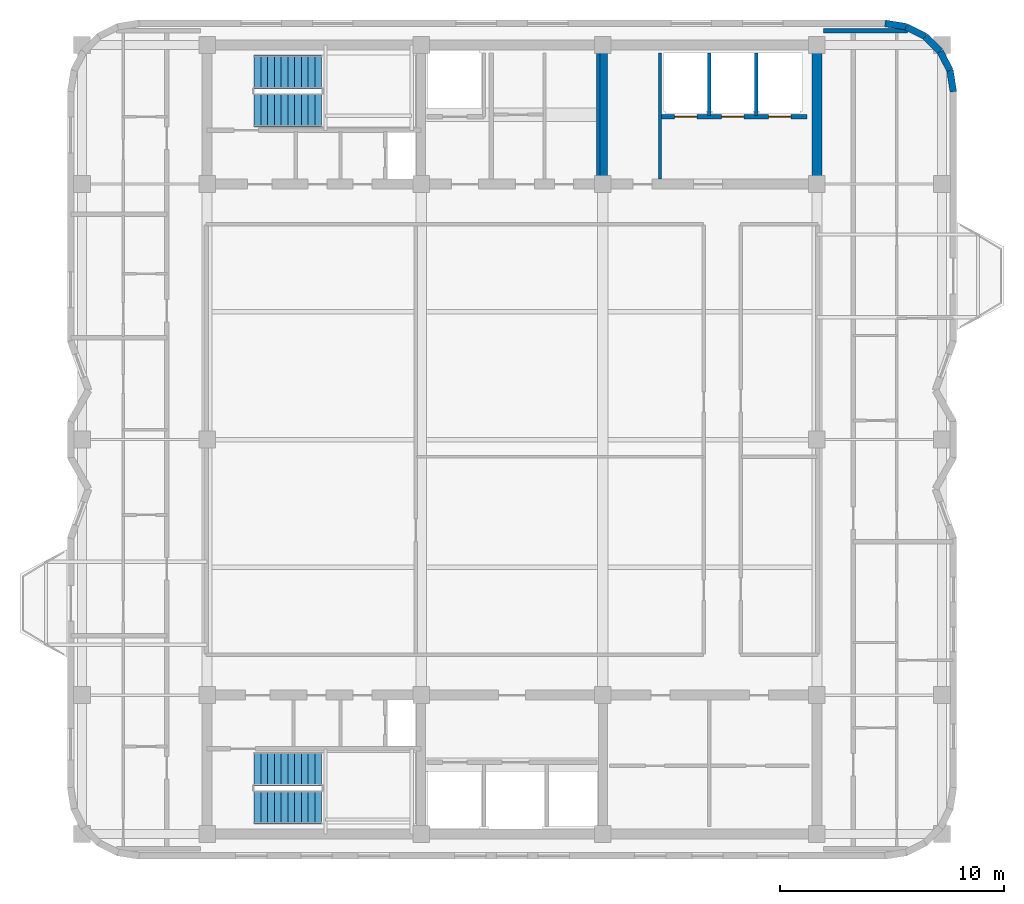
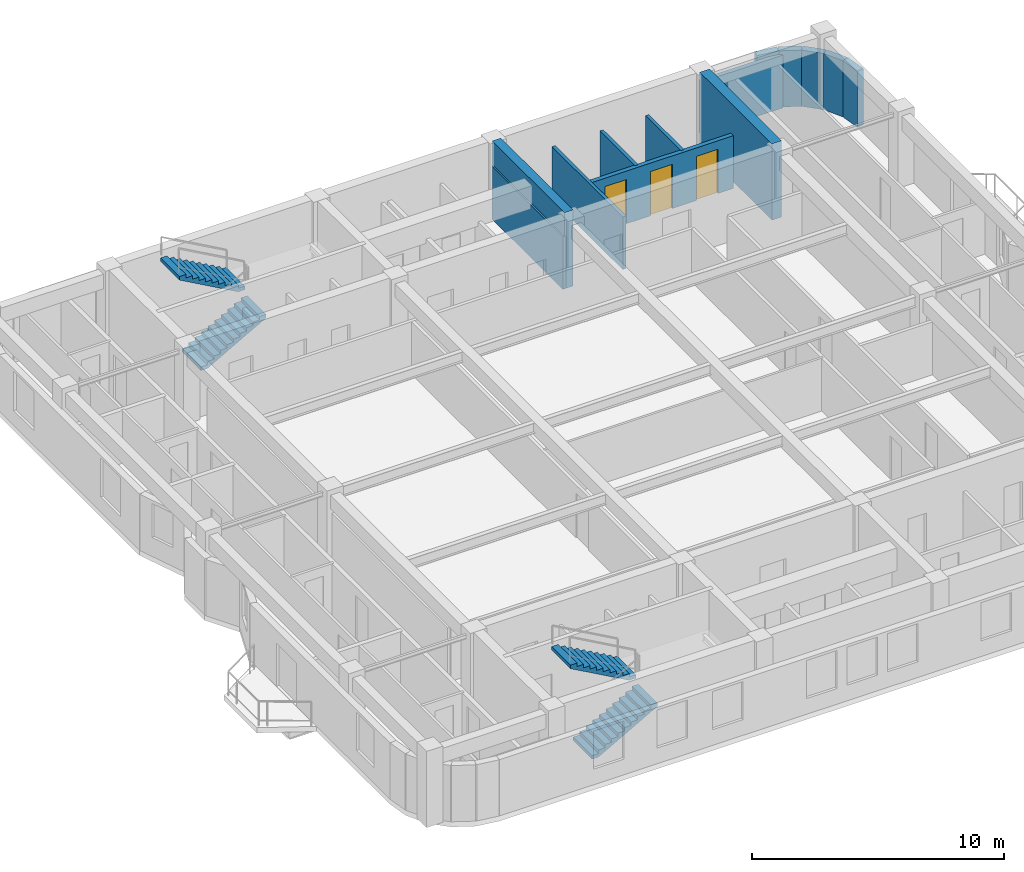
# One storey, part 7 of 9: 13 walls, 4 stair flights, 3 doors, 3 openings, 2 elements without a shape of their own.
"""IFC4 building model written with IfcOpenShell, lengths in metres."""

from ifc_helpers import new_model, si_unit, direction, frame, frame_2d, origin, place, context, subcontext, project, spatial, polyline, rectangle, outline, extrude, material, layer, layer_set, type_object, element, fill, aggregate, save


model = new_model("IFC4")

# Units and contexts
model_context = context("Model", 3, precision=1e-05, world=origin(), true_north=direction((0.0, 1.0)))
body_context = subcontext(model_context, "Body", "Model", "MODEL_VIEW")
ifc_project = project(units=[si_unit("LENGTHUNIT", "METRE"), si_unit("AREAUNIT", "SQUARE_METRE"), si_unit("VOLUMEUNIT", "CUBIC_METRE"), si_unit("PLANEANGLEUNIT", "RADIAN"), si_unit("MASSUNIT", "GRAM", prefix="KILO")], contexts=[model_context])

# Site, building, storey
site_placement = place(None, origin())
site = spatial("IfcSite", under=ifc_project, at=site_placement, CompositionType="ELEMENT")
building_placement = place(site_placement, origin())
building = spatial("IfcBuilding", under=site, at=building_placement, Name="Svetorya Sky Lyceum", CompositionType="ELEMENT")
storey_placement = place(building_placement, frame((0.0, 0.0, 267.60009765625)))
storey = spatial("IfcBuildingStorey", under=building, at=storey_placement, Name="L67", CompositionType="ELEMENT", Elevation=267.60009765625)

# Walls
ifc_material_1 = material(Name="Concrete C40/50", Category="concrete")
ifc_layer_1 = layer(ifc_material_1, 0.39990234375)
ifc_layer_set_1 = layer_set([ifc_layer_1], Name="Concrete C40/50")
wall_type_1 = type_object("IfcWallType", Name="WL-CORE-400", PredefinedType="SHEAR", material=ifc_layer_set_1)
wall_1_placement = place(storey_placement, frame((43.25, 39.824951171875, 0.0), z_axis=(0.0, 0.0, 1.0), x_axis=(0.0, 1.0, 0.0)))
element("IfcWall", 1, at=wall_1_placement, inside=storey, type_object=wall_type_1, Name="L67 NC Internal Shear Web WEB2", PredefinedType="SHEAR", context=body_context, shape_type="SweptSolid", body=[
    extrude(rectangle(XDim=5.75, YDim=0.39990234375, at=frame_2d((2.875, 0.0))), origin(), (0.0, 0.0, 1.0), 3.699951171875),
])
ifc_material_2 = material(Name="Concrete C50/60", Category="concrete")
ifc_layer_2 = layer(ifc_material_2, 0.449951171875)
ifc_layer_set_2 = layer_set([ifc_layer_2], Name="Concrete C50/60")
wall_type_2 = type_object("IfcWallType", Name="WL-CORE-450", PredefinedType="SHEAR", material=ifc_layer_set_2)
wall_2_placement = place(storey_placement, frame((52.800048828125, 39.824951171875, 0.0), z_axis=(0.0, 0.0, 1.0), x_axis=(0.0, 1.0, 0.0)))
element("IfcWall", 2, at=wall_2_placement, inside=storey, type_object=wall_type_2, Name="L67 NC East Core Shear Wall", PredefinedType="SHEAR", context=body_context, shape_type="SweptSolid", body=[
    extrude(rectangle(XDim=5.75, YDim=0.449951171875, at=frame_2d((2.875, 0.0))), origin(), (0.0, 0.0, 1.0), 3.699951171875),
])
ifc_material_3 = material(Name="Putilovo limestone rainscreen on autoclaved cellular masonry", Category="masonry")
ifc_layer_3 = layer(ifc_material_3, 0.300048828125)
ifc_layer_set_3 = layer_set([ifc_layer_3], Name="Putilovo limestone rainscreen on autoclaved cellular masonry")
wall_type_3 = type_object("IfcWallType", Name="WL-EXT-300", PredefinedType="SOLIDWALL", material=ifc_layer_set_3)
wall_3_placement = place(storey_placement, frame((58.889892578125, 43.719970703125, 0.0), z_axis=(0.0, 0.0, 1.0), x_axis=(-0.156304114255, 0.987708977314, 0.0)))
element("IfcWall", 3, at=wall_3_placement, inside=storey, type_object=wall_type_3, Name="L67 Limestone Exterior Wall 19M", PredefinedType="SOLIDWALL", context=body_context, shape_type="SweptSolid", body=[
    extrude(rectangle(XDim=0.954345703125, YDim=0.300048828125, at=frame_2d((0.47705078125, 0.0))), origin(), (0.0, 0.0, 1.0), 2.72998046875),
])
wall_4_placement = place(storey_placement, frame((58.74072265625, 44.66259765625, 0.0), z_axis=(0.0, 0.0, 1.0), x_axis=(-0.45395644796, 0.891023873617, 0.0)))
element("IfcWall", 4, at=wall_4_placement, inside=storey, type_object=wall_type_3, Name="L67 Limestone Exterior Wall 20M", PredefinedType="SOLIDWALL", context=body_context, shape_type="SweptSolid", body=[
    extrude(rectangle(XDim=0.9541015625, YDim=0.300048828125, at=frame_2d((0.47705078125, 0.0))), origin(), (0.0, 0.0, 1.0), 2.72998046875),
])
for number, where, z_axis, x_axis, name in (
    (5, (58.3076171875, 45.5126953125, 0.0), (0.0, 0.0, 1.0), (-0.707106781187, 0.707106781187, 0.0), "L67 Limestone Exterior Wall 21M"),
    (6, (57.6328125, 46.1875, 0.0), (0.0, 0.0, 1.0), (-0.891076589373, 0.453852962833, 0.0), "L67 Limestone Exterior Wall 22M"),
):
    element("IfcWall", number, at=place(storey_placement, frame(where, z_axis=z_axis, x_axis=x_axis)), inside=storey, type_object=wall_type_3, Name=name, PredefinedType="SOLIDWALL", context=body_context, shape_type="SweptSolid", body=[
        extrude(rectangle(XDim=0.954345703125, YDim=0.300048828125, at=frame_2d((0.47705078125, 0.0))), origin(), (0.0, 0.0, 1.0), 2.72998046875),
    ])
wall_5_placement = place(storey_placement, frame((56.782470703125, 46.62060546875, 0.0), z_axis=(0.0, 0.0, 1.0), x_axis=(-0.987663181641, 0.156593229835, 0.0)))
element("IfcWall", 7, at=wall_5_placement, inside=storey, type_object=wall_type_3, Name="L67 Limestone Exterior Wall 23M", PredefinedType="SOLIDWALL", context=body_context, shape_type="SweptSolid", body=[
    extrude(rectangle(XDim=0.9541015625, YDim=0.300048828125, at=frame_2d((0.47705078125, 0.0))), origin(), (0.0, 0.0, 1.0), 2.72998046875),
])
ifc_material_4 = material(Name="Autoclaved cellular masonry blockwork with acoustic render", Category="masonry")
ifc_layer_4 = layer(ifc_material_4, 0.14990234375)
ifc_layer_set_4 = layer_set([ifc_layer_4], Name="Autoclaved cellular masonry blockwork with acoustic render")
wall_type_4 = type_object("IfcWallType", Name="WL-PART-150", PredefinedType="PARTITIONING", material=ifc_layer_set_4)
for number, where, z_axis, x_axis, name in (
    (8, (43.050048828125, 39.820068359375, 0.0), (0.0, 0.0, 1.0), (0.0, 1.0, 0.0), "L67 Interior Partition NC-FPM-END"),
    (9, (45.800048828125, 39.820068359375, 0.0), (0.0, 0.0, 1.0), (0.0, 1.0, 0.0), "L67 Interior Partition NC-PM3-FULL"),
):
    element("IfcWall", number, at=place(storey_placement, frame(where, z_axis=z_axis, x_axis=x_axis)), inside=storey, type_object=wall_type_4, Name=name, PredefinedType="PARTITIONING", context=body_context, shape_type="SweptSolid", body=[
        extrude(rectangle(XDim=5.6298828125, YDim=0.14990234375, at=frame_2d((2.81494140625, 0.0))), origin(), (0.0, 0.0, 1.0), 2.559814453125),
    ])
for number, where, z_axis, x_axis, name in (
    (10, (48.0, 42.64990234375, 0.0), (0.0, 0.0, 1.0), (0.0, 1.0, 0.0), "L67 Interior Partition NC-PH-D1"),
    (11, (50.10009765625, 42.64990234375, 0.0), (0.0, 0.0, 1.0), (0.0, 1.0, 0.0), "L67 Interior Partition NC-PH-D2"),
):
    element("IfcWall", number, at=place(storey_placement, frame(where, z_axis=z_axis, x_axis=x_axis)), inside=storey, type_object=wall_type_4, Name=name, PredefinedType="PARTITIONING", context=body_context, shape_type="SweptSolid", body=[
        extrude(rectangle(XDim=2.800048828125, YDim=0.14990234375, at=frame_2d((1.39990234375, 0.0))), origin(), (0.0, 0.0, 1.0), 2.559814453125),
    ])

# Wall, openings, doors
ifc_material_5 = material(Name="Autoclaved cellular masonry blockwork with gypsum plaster", Category="masonry")
ifc_layer_5 = layer(ifc_material_5, 0.199951171875)
ifc_layer_set_5 = layer_set([ifc_layer_5], Name="Autoclaved cellular masonry blockwork with gypsum plaster")
wall_type_5 = type_object("IfcWallType", Name="WL-PART-200", PredefinedType="PARTITIONING", material=ifc_layer_set_5)
wall_6_placement = place(storey_placement, frame((52.35009765625, 42.60009765625, 0.0), z_axis=(0.0, 0.0, 1.0), x_axis=(-1.0, 0.0, 0.0)))
wall_6 = element("IfcWall", 12, at=wall_6_placement, inside=storey, type_object=wall_type_5, Name="L67 Interior Partition NC-PHEW", PredefinedType="PARTITIONING", context=body_context, shape_type="SweptSolid", body=[
    extrude(rectangle(XDim=6.5, YDim=0.199951171875, at=frame_2d((3.25, 0.0))), origin(), (0.0, 0.0, 1.0), 2.559814453125),
])
opening_1_placement = place(wall_6_placement, frame((4.89990234375, 0.0, 0.0)))
opening_1 = element("IfcOpeningElement", 13, at=opening_1_placement, cuts=wall_6, Name="Opening LD-P1", PredefinedType="OPENING", context=body_context, shape_type="SweptSolid", body=[
    extrude(rectangle(XDim=1.0, YDim=2.14990234375, at=frame_2d((0.5, 1.074951171875))), frame((0.0, 0.10986328125, 0.0), z_axis=(0.0, -1.0, 0.0), x_axis=(1.0, 0.0, 0.0)), (0.0, 0.0, 1.0), 0.219970703125),
])
opening_2_placement = place(wall_6_placement, frame((2.800048828125, 0.0, 0.0)))
opening_2 = element("IfcOpeningElement", 14, at=opening_2_placement, cuts=wall_6, Name="Opening LD-P1", PredefinedType="OPENING", context=body_context, shape_type="SweptSolid", body=[
    extrude(rectangle(XDim=1.0, YDim=2.14990234375, at=frame_2d((0.5, 1.074951171875))), frame((0.0, 0.10986328125, 0.0), z_axis=(0.0, -1.0, 0.0), x_axis=(1.0, 0.0, 0.0)), (0.0, 0.0, 1.0), 0.219970703125),
])
opening_3_placement = place(wall_6_placement, frame((0.699951171875, 0.0, 0.0)))
opening_3 = element("IfcOpeningElement", 15, at=opening_3_placement, cuts=wall_6, Name="Opening LD-P1", PredefinedType="OPENING", context=body_context, shape_type="SweptSolid", body=[
    extrude(rectangle(XDim=1.0, YDim=2.14990234375, at=frame_2d((0.5, 1.074951171875))), frame((0.0, 0.10986328125, 0.0), z_axis=(0.0, -1.0, 0.0), x_axis=(1.0, 0.0, 0.0)), (0.0, 0.0, 1.0), 0.219970703125),
])
ifc_material_6 = material(Name="Champagne-anodized stainless passenger lift landing door")
door_type = type_object("IfcDoorType", Name="DR-LIFT-1000", OperationType="SLIDING_TO_LEFT", PredefinedType="DOOR", material=ifc_material_6)
door_1_placement = place(opening_1_placement, origin())
door_1 = element("IfcDoor", 16, at=door_1_placement, inside=storey, type_object=door_type, Name="L67 Passenger Lift PH1 Landing Door", OperationType="SLIDING_TO_LEFT", OverallHeight=2.14990234375, OverallWidth=1.0, PredefinedType="DOOR", context=body_context, shape_type="SweptSolid", body=[
    extrude(rectangle(XDim=1.0, YDim=2.14990234375, at=frame_2d((0.5, 1.074951171875))), frame((0.0, 0.02490234375, 0.0), z_axis=(0.0, -1.0, 0.0), x_axis=(1.0, 0.0, 0.0)), (0.0, 0.0, 1.0), 0.050048828125),
])
fill(opening_1, door_1)
door_2_placement = place(opening_2_placement, origin())
door_2 = element("IfcDoor", 17, at=door_2_placement, inside=storey, type_object=door_type, Name="L67 Passenger Lift PH2 Landing Door", OperationType="SLIDING_TO_LEFT", OverallHeight=2.14990234375, OverallWidth=1.0, PredefinedType="DOOR", context=body_context, shape_type="SweptSolid", body=[
    extrude(rectangle(XDim=1.0, YDim=2.14990234375, at=frame_2d((0.5, 1.074951171875))), frame((0.0, 0.02490234375, 0.0), z_axis=(0.0, -1.0, 0.0), x_axis=(1.0, 0.0, 0.0)), (0.0, 0.0, 1.0), 0.050048828125),
])
fill(opening_2, door_2)
door_3_placement = place(opening_3_placement, origin())
door_3 = element("IfcDoor", 18, at=door_3_placement, inside=storey, type_object=door_type, Name="L67 Passenger Lift PH3 Landing Door", OperationType="SLIDING_TO_LEFT", OverallHeight=2.14990234375, OverallWidth=1.0, PredefinedType="DOOR", context=body_context, shape_type="SweptSolid", body=[
    extrude(rectangle(XDim=1.0, YDim=2.14990234375, at=frame_2d((0.5, 1.074951171875))), frame((0.0, 0.02490234375, 0.0), z_axis=(0.0, -1.0, 0.0), x_axis=(1.0, 0.0, 0.0)), (0.0, 0.0, 1.0), 0.050048828125),
])
fill(opening_3, door_3)

# Wall
wall_7_placement = place(storey_placement, frame((53.10009765625, 46.449951171875, 0.0), z_axis=(0.0, 0.0, 1.0), x_axis=(1.0, 0.0, 0.0)))
element("IfcWall", 19, at=wall_7_placement, inside=storey, type_object=wall_type_5, Name="L67 Interior Partition E-CAP-N", PredefinedType="PARTITIONING", context=body_context, shape_type="SweptSolid", body=[
    extrude(rectangle(XDim=3.75390625, YDim=0.199951171875, at=frame_2d((1.876953125, 0.0))), origin(), (0.0, 0.0, 1.0), 2.559814453125),
])

# Stair, stair flights
stair_type_1 = type_object("IfcStairType", Name="STR-ST-N", PredefinedType="HALF_TURN_STAIR", material=ifc_material_1)
stair_1_placement = place(storey_placement, origin())
stair_1 = element("IfcStair", 20, at=stair_1_placement, inside=storey, type_object=stair_type_1, Name="L67 North Core Smoke-Free Exit Stair N3", PredefinedType="HALF_TURN_STAIR")
stair_flight_type_1 = type_object("IfcStairFlightType", Name="SFL-ST-N", PredefinedType="STRAIGHT", material=ifc_material_1)
stair_flight_1_placement = place(storey_placement, frame((27.699951171875, 42.89990234375, 0.0), z_axis=(0.0, 0.0, 1.0), x_axis=(1.0, 0.0, 0.0)))
stair_flight_1 = element("IfcStairFlight", 21, at=stair_flight_1_placement, type_object=stair_flight_type_1, Name="ST-N flight 1", NumberOfRisers=11, NumberOfTreads=10, PredefinedType="STRAIGHT", RiserHeight=0.168181818, TreadLength=0.3, context=body_context, shape_type="SweptSolid", body=[
    extrude(outline(polyline([(0.0, 0.0), (0.0, 0.168212890625), (0.300048828125, 0.168212890625), (0.300048828125, 0.33642578125), (0.60009765625, 0.33642578125), (0.60009765625, 0.504638671875), (0.89990234375, 0.504638671875), (0.89990234375, 0.672607421875), (1.199951171875, 0.672607421875), (1.199951171875, 0.8408203125), (1.5, 0.8408203125), (1.5, 1.009033203125), (1.800048828125, 1.009033203125), (1.800048828125, 1.17724609375), (2.10009765625, 1.17724609375), (2.10009765625, 1.345458984375), (2.39990234375, 1.345458984375), (2.39990234375, 1.513671875), (2.699951171875, 1.513671875), (2.699951171875, 1.681884765625), (3.0, 1.681884765625), (3.0, 1.85009765625), (3.0, 1.510009765625), (0.306640625, 0.0), (0.0, 0.0)])), frame((0.0, 0.75, 0.0), z_axis=(0.0, -1.0, 0.0), x_axis=(1.0, 0.0, 0.0)), (0.0, 0.0, 1.0), 1.5),
])
stair_flight_2_placement = place(storey_placement, frame((30.699951171875, 44.60009765625, 1.849853515625), z_axis=(0.0, 0.0, 1.0), x_axis=(-1.0, 0.0, 0.0)))
stair_flight_2 = element("IfcStairFlight", 22, at=stair_flight_2_placement, type_object=stair_flight_type_1, Name="ST-N flight 2", NumberOfRisers=11, NumberOfTreads=10, PredefinedType="STRAIGHT", RiserHeight=0.168181818, TreadLength=0.3, context=body_context, shape_type="SweptSolid", body=[
    extrude(outline(polyline([(0.0, 0.0), (0.0, 0.168212890625), (0.300048828125, 0.168212890625), (0.300048828125, 0.33642578125), (0.60009765625, 0.33642578125), (0.60009765625, 0.504638671875), (0.89990234375, 0.504638671875), (0.89990234375, 0.672607421875), (1.199951171875, 0.672607421875), (1.199951171875, 0.8408203125), (1.5, 0.8408203125), (1.5, 1.009033203125), (1.800048828125, 1.009033203125), (1.800048828125, 1.17724609375), (2.10009765625, 1.17724609375), (2.10009765625, 1.345458984375), (2.39990234375, 1.345458984375), (2.39990234375, 1.513671875), (2.699951171875, 1.513671875), (2.699951171875, 1.681884765625), (3.0, 1.681884765625), (3.0, 1.85009765625), (3.0, 1.510009765625), (0.306640625, 0.0), (0.0, 0.0)])), frame((0.0, 0.75, 0.0), z_axis=(0.0, -1.0, 0.0), x_axis=(1.0, 0.0, 0.0)), (0.0, 0.0, 1.0), 1.5),
])
aggregate(stair_1, [stair_flight_1, stair_flight_2])

stair_type_2 = type_object("IfcStairType", Name="STR-ST-S", PredefinedType="HALF_TURN_STAIR", material=ifc_material_1)
stair_2_placement = place(storey_placement, origin())
stair_2 = element("IfcStair", 23, at=stair_2_placement, inside=storey, type_object=stair_type_2, Name="L67 South Core Smoke-Free Exit Stair N2", PredefinedType="HALF_TURN_STAIR")
stair_flight_type_2 = type_object("IfcStairFlightType", Name="SFL-ST-S", PredefinedType="STRAIGHT", material=ifc_material_1)
stair_flight_3_placement = place(storey_placement, frame((27.699951171875, 11.800048828125, 0.0), z_axis=(0.0, 0.0, 1.0), x_axis=(1.0, 0.0, 0.0)))
stair_flight_3 = element("IfcStairFlight", 24, at=stair_flight_3_placement, type_object=stair_flight_type_2, Name="ST-S flight 1", NumberOfRisers=11, NumberOfTreads=10, PredefinedType="STRAIGHT", RiserHeight=0.168181818, TreadLength=0.3, context=body_context, shape_type="SweptSolid", body=[
    extrude(outline(polyline([(0.0, 0.0), (0.0, 0.168212890625), (0.300048828125, 0.168212890625), (0.300048828125, 0.33642578125), (0.60009765625, 0.33642578125), (0.60009765625, 0.504638671875), (0.89990234375, 0.504638671875), (0.89990234375, 0.672607421875), (1.199951171875, 0.672607421875), (1.199951171875, 0.8408203125), (1.5, 0.8408203125), (1.5, 1.009033203125), (1.800048828125, 1.009033203125), (1.800048828125, 1.17724609375), (2.10009765625, 1.17724609375), (2.10009765625, 1.345458984375), (2.39990234375, 1.345458984375), (2.39990234375, 1.513671875), (2.699951171875, 1.513671875), (2.699951171875, 1.681884765625), (3.0, 1.681884765625), (3.0, 1.85009765625), (3.0, 1.510009765625), (0.306640625, 0.0), (0.0, 0.0)])), frame((0.0, 0.75, 0.0), z_axis=(0.0, -1.0, 0.0), x_axis=(1.0, 0.0, 0.0)), (0.0, 0.0, 1.0), 1.5),
])
stair_flight_4_placement = place(storey_placement, frame((30.699951171875, 13.5, 1.849853515625), z_axis=(0.0, 0.0, 1.0), x_axis=(-1.0, 0.0, 0.0)))
stair_flight_4 = element("IfcStairFlight", 25, at=stair_flight_4_placement, type_object=stair_flight_type_2, Name="ST-S flight 2", NumberOfRisers=11, NumberOfTreads=10, PredefinedType="STRAIGHT", RiserHeight=0.168181818, TreadLength=0.3, context=body_context, shape_type="SweptSolid", body=[
    extrude(outline(polyline([(0.0, 0.0), (0.0, 0.168212890625), (0.300048828125, 0.168212890625), (0.300048828125, 0.33642578125), (0.60009765625, 0.33642578125), (0.60009765625, 0.504638671875), (0.89990234375, 0.504638671875), (0.89990234375, 0.672607421875), (1.199951171875, 0.672607421875), (1.199951171875, 0.8408203125), (1.5, 0.8408203125), (1.5, 1.009033203125), (1.800048828125, 1.009033203125), (1.800048828125, 1.17724609375), (2.10009765625, 1.17724609375), (2.10009765625, 1.345458984375), (2.39990234375, 1.345458984375), (2.39990234375, 1.513671875), (2.699951171875, 1.513671875), (2.699951171875, 1.681884765625), (3.0, 1.681884765625), (3.0, 1.85009765625), (3.0, 1.510009765625), (0.306640625, 0.0), (0.0, 0.0)])), frame((0.0, 0.75, 0.0), z_axis=(0.0, -1.0, 0.0), x_axis=(1.0, 0.0, 0.0)), (0.0, 0.0, 1.0), 1.5),
])
aggregate(stair_2, [stair_flight_3, stair_flight_4])

save(model, "model.ifc")
